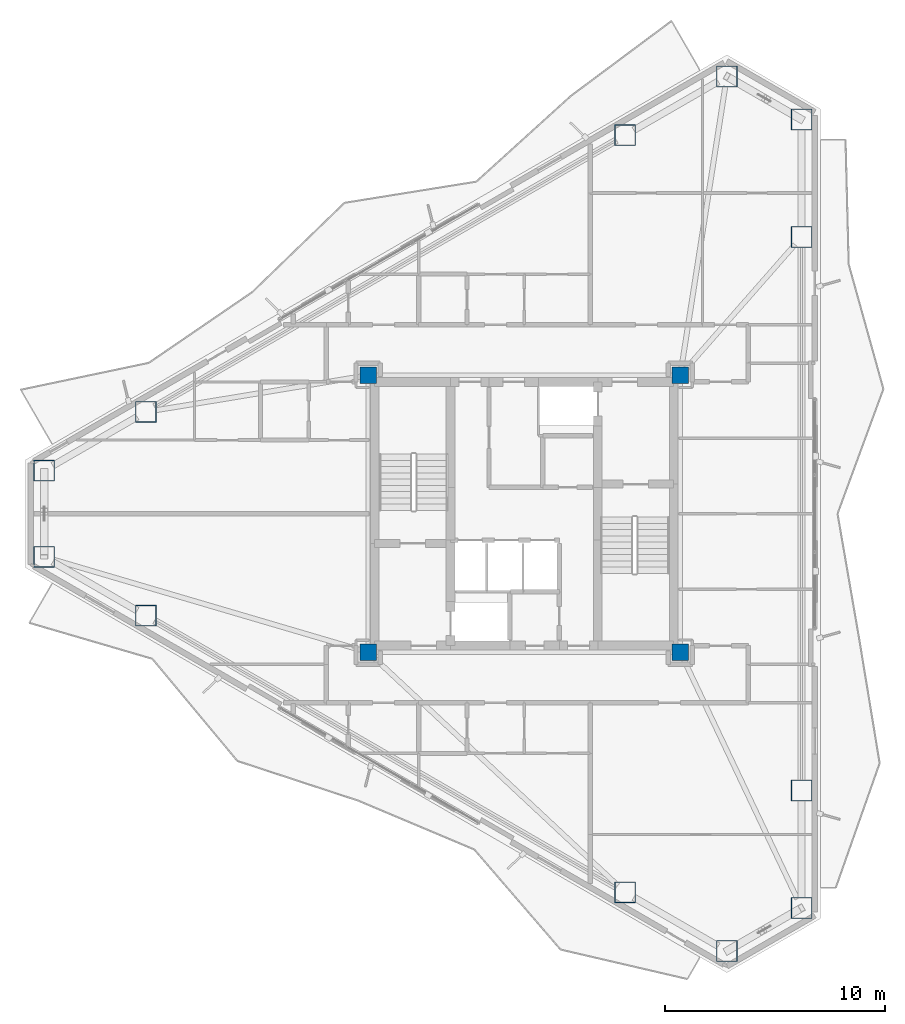
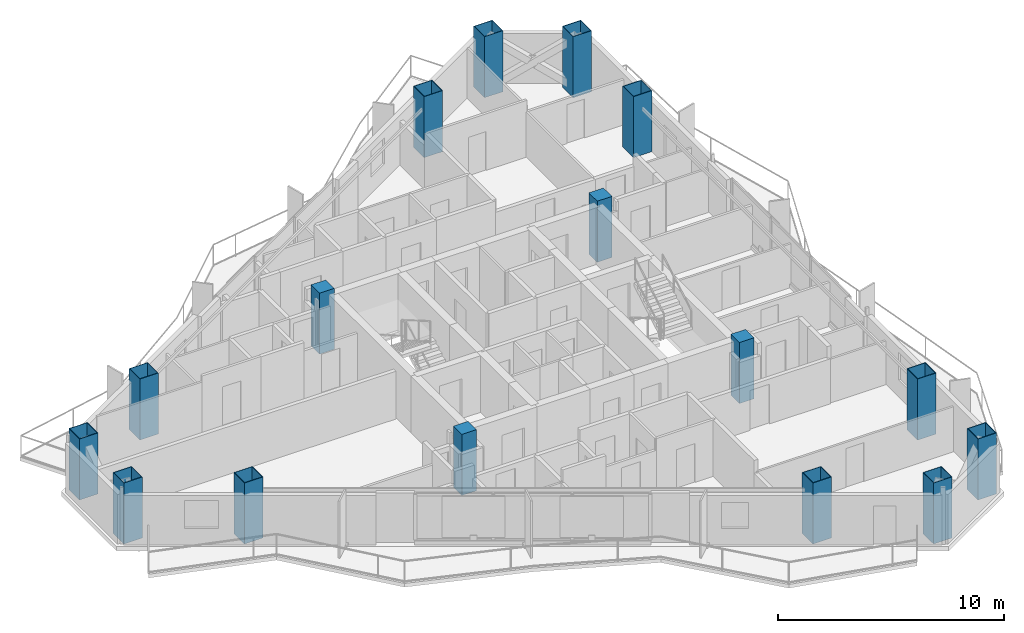
# One storey, part 1 of 18: 16 columns.
"""IFC4 building model written with IfcOpenShell, lengths in metres."""

from ifc_helpers import new_model, si_unit, direction, frame, origin, origin_2d, place, context, subcontext, project, spatial, rectangle, hollow_rectangle, extrude, material, material_profile, profile_set, type_object, element, save


model = new_model("IFC4")

# Units and contexts
model_context = context("Model", 3, precision=1e-05, world=origin(), true_north=direction((0.0, 1.0)))
body_context = subcontext(model_context, "Body", "Model", "MODEL_VIEW")
ifc_project = project(units=[si_unit("LENGTHUNIT", "METRE"), si_unit("AREAUNIT", "SQUARE_METRE"), si_unit("VOLUMEUNIT", "CUBIC_METRE"), si_unit("PLANEANGLEUNIT", "RADIAN"), si_unit("MASSUNIT", "GRAM", prefix="KILO")], contexts=[model_context])

# Site, building, storey
site_placement = place(None, origin())
site = spatial("IfcSite", under=ifc_project, at=site_placement, CompositionType="ELEMENT")
building_placement = place(site_placement, origin())
building = spatial("IfcBuilding", under=site, at=building_placement, Name="Mersakhor Tower and Convention Hall", CompositionType="ELEMENT")
storey_placement = place(building_placement, frame((0.0, 0.0, 150.89990234375)))
storey = spatial("IfcBuildingStorey", under=building, at=storey_placement, Name="L42", CompositionType="ELEMENT", Elevation=150.89990234375)

# Columns
ifc_material_1 = material(Name="Concrete C60/75 in S460M steel box", Category="concrete")
ifc_material_profile_1 = material_profile(ifc_material_1, hollow_rectangle(XDim=0.949951171875, YDim=0.949951171875, WallThickness=0.028076171875, at=origin_2d()), Name="SHS 950x950x28")
ifc_profile_set_1 = profile_set([ifc_material_profile_1], Name="Concrete C60/75 in S460M steel box")
column_type_1 = type_object("IfcColumnType", Name="COL-CFT-950", PredefinedType="COLUMN", material=ifc_profile_set_1)
for number, where, z_axis, x_axis, name in (
    (1, (7.160400390625, 28.71240234375, 0.0), (0.0, 0.0, 1.0), (1.0, 0.0, 0.0), "L42 Perimeter Mega-Column MC-01"),
    (2, (11.788330078125, 31.38427734375, 0.0), (0.0, 0.0, 1.0), (1.0, 0.0, 0.0), "L42 Perimeter Mega-Column MC-02"),
    (3, (33.592529296875, 43.972900390625, 0.0), (0.0, 0.0, 1.0), (1.0, 0.0, 0.0), "L42 Perimeter Mega-Column MC-03"),
    (4, (38.220458984375, 46.644775390625, 0.0), (0.0, 0.0, 1.0), (1.0, 0.0, 0.0), "L42 Perimeter Mega-Column MC-04"),
    (5, (41.619140625, 44.6826171875, 0.0), (0.0, 0.0, 1.0), (1.0, 0.0, 0.0), "L42 Perimeter Mega-Column MC-05"),
    (6, (41.619140625, 39.338623046875, 0.0), (0.0, 0.0, 1.0), (1.0, 0.0, 0.0), "L42 Perimeter Mega-Column MC-06"),
    (7, (41.619140625, 14.161376953125, 0.0), (0.0, 0.0, 1.0), (1.0, 0.0, 0.0), "L42 Perimeter Mega-Column MC-07"),
    (8, (41.619140625, 8.8173828125, 0.0), (0.0, 0.0, 1.0), (1.0, 0.0, 0.0), "L42 Perimeter Mega-Column MC-08"),
    (9, (38.220458984375, 6.855224609375, 0.0), (0.0, 0.0, 1.0), (1.0, 0.0, 0.0), "L42 Perimeter Mega-Column MC-09"),
    (10, (33.592529296875, 9.527099609375, 0.0), (0.0, 0.0, 1.0), (1.0, 0.0, 0.0), "L42 Perimeter Mega-Column MC-10"),
    (11, (11.788330078125, 22.11572265625, 0.0), (0.0, 0.0, 1.0), (1.0, 0.0, 0.0), "L42 Perimeter Mega-Column MC-11"),
    (12, (7.160400390625, 24.78759765625, 0.0), (0.0, 0.0, 1.0), (1.0, 0.0, 0.0), "L42 Perimeter Mega-Column MC-12"),
):
    element("IfcColumn", number, at=place(storey_placement, frame(where, z_axis=z_axis, x_axis=x_axis)), inside=storey, type_object=column_type_1, Name=name, PredefinedType="COLUMN", context=body_context, shape_type="SweptSolid", body=[
        extrude(hollow_rectangle(XDim=0.949951171875, YDim=0.949951171875, WallThickness=0.028076171875, at=origin_2d()), origin(), (0.0, 0.0, 1.0), 3.300048828125),
    ])
ifc_material_2 = material(Name="Concrete C50/60", Category="concrete")
ifc_material_profile_2 = material_profile(ifc_material_2, rectangle(XDim=0.75, YDim=0.75, at=origin_2d()), Name="RC 750x750")
ifc_profile_set_2 = profile_set([ifc_material_profile_2], Name="Concrete C50/60")
column_type_2 = type_object("IfcColumnType", Name="COL-RC-750", PredefinedType="COLUMN", material=ifc_profile_set_2)
for number, where, z_axis, x_axis, name in (
    (13, (21.89990234375, 20.449951171875, 0.0), (0.0, 0.0, 1.0), (1.0, 0.0, 0.0), "L42 Core Corner Column CC-1"),
    (14, (21.89990234375, 33.050048828125, 0.0), (0.0, 0.0, 1.0), (1.0, 0.0, 0.0), "L42 Core Corner Column CC-2"),
    (15, (36.10009765625, 33.050048828125, 0.0), (0.0, 0.0, 1.0), (1.0, 0.0, 0.0), "L42 Core Corner Column CC-3"),
    (16, (36.10009765625, 20.449951171875, 0.0), (0.0, 0.0, 1.0), (1.0, 0.0, 0.0), "L42 Core Corner Column CC-4"),
):
    element("IfcColumn", number, at=place(storey_placement, frame(where, z_axis=z_axis, x_axis=x_axis)), inside=storey, type_object=column_type_2, Name=name, PredefinedType="COLUMN", context=body_context, shape_type="SweptSolid", body=[
        extrude(rectangle(XDim=0.75, YDim=0.75, at=origin_2d()), origin(), (0.0, 0.0, 1.0), 3.300048828125),
    ])

save(model, "model.ifc")
